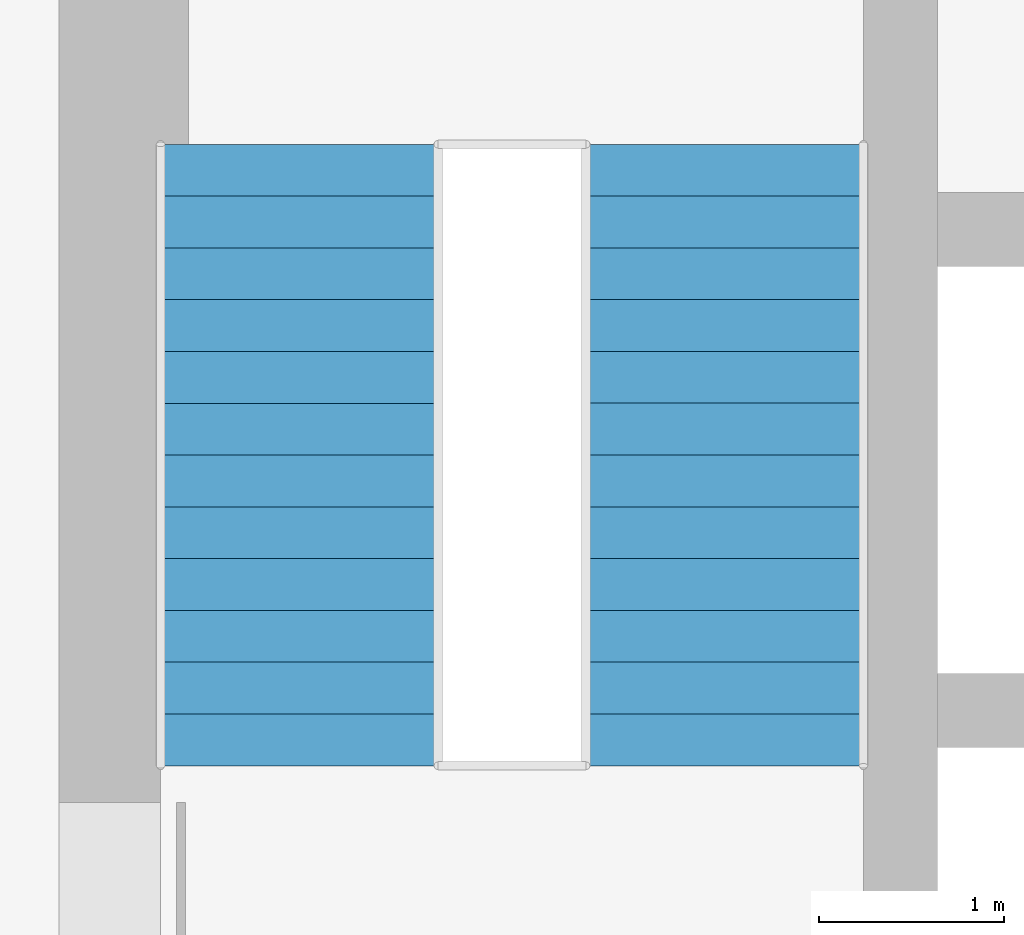
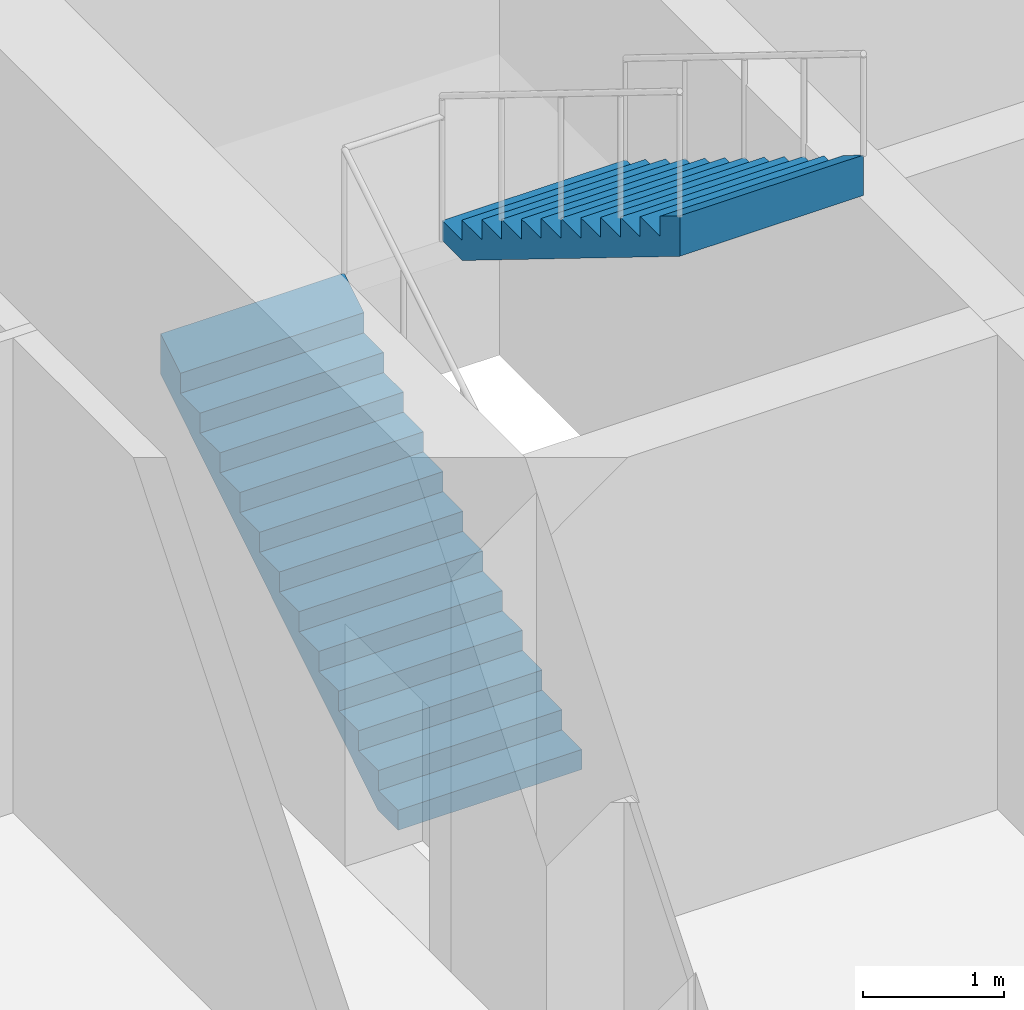
# One storey, part 12 of 14: 2 stair flights, 1 element without a shape of its own.
"""IFC4 building model written with IfcOpenShell, lengths in metres."""

from ifc_helpers import new_model, si_unit, direction, frame, origin, place, context, subcontext, project, spatial, triangles, material, type_object, element, aggregate, save


model = new_model("IFC4")

# Units and contexts
model_context = context("Model", 3, precision=1e-05, world=origin(), true_north=direction((0.0, 1.0)))
body_context = subcontext(model_context, "Body", "Model", "MODEL_VIEW")
ifc_project = project(units=[si_unit("LENGTHUNIT", "METRE"), si_unit("AREAUNIT", "SQUARE_METRE"), si_unit("VOLUMEUNIT", "CUBIC_METRE"), si_unit("PLANEANGLEUNIT", "RADIAN"), si_unit("MASSUNIT", "GRAM", prefix="KILO")], contexts=[model_context])

# Site, building, storey
site_placement = place(None, origin())
site = spatial("IfcSite", under=ifc_project, at=site_placement, CompositionType="ELEMENT")
building_placement = place(site_placement, origin())
building = spatial("IfcBuilding", under=site, at=building_placement, Name="Ludao Terraces", CompositionType="ELEMENT")
storey_placement = place(building_placement, frame((0.0, 0.0, -4.5)))
storey = spatial("IfcBuildingStorey", under=building, at=storey_placement, Name="B1", CompositionType="ELEMENT", Elevation=-4.5)

# Stair, stair flights
ifc_material = material(Name="Concrete C40", Category="concrete")
stair_type = type_object("IfcStairType", Name="INT Stair", PredefinedType="HALF_TURN_STAIR", material=ifc_material)
stair_placement = place(storey_placement, origin())
stair = element("IfcStair", 1, at=stair_placement, inside=storey, type_object=stair_type, Name="EXIT STAIR 1", PredefinedType="HALF_TURN_STAIR")
stair_flight_type = type_object("IfcStairFlightType", Name="INT Stair flight", PredefinedType="STRAIGHT", material=ifc_material)
stair_flight_1_placement = place(storey_placement, frame((76.199951171875, 79.0, 0.0), z_axis=(0.0, 0.0, 1.0), x_axis=(0.0, 1.0, 0.0)))
stair_flight_1 = element("IfcStairFlight", 2, at=stair_flight_1_placement, type_object=stair_flight_type, Name="ST1 flight 1", NumberOfRisers=13, NumberOfTreads=12, PredefinedType="STRAIGHT", RiserHeight=0.173077, TreadLength=0.28, context=body_context, shape_type="Tessellation", body=[
    triangles([(0.0, -0.75, 0.0), (0.0, -0.5, 0.0), (0.0, -0.25, 0.0), (0.0, 0.0, 0.0), (0.0, 0.25, 0.0), (0.0, 0.5, 0.0), (0.0, 0.75, 0.0), (0.0, -0.75, 0.173095703125), (0.0, -0.5, 0.173095703125), (0.0, -0.25, 0.173095703125), (0.0, 0.0, 0.173095703125), (0.0, 0.25, 0.173095703125), (0.0, 0.5, 0.173095703125), (0.0, 0.75, 0.173095703125), (0.280029296875, -0.75, 0.173095703125), (0.280029296875, -0.5, 0.173095703125), (0.280029296875, -0.25, 0.173095703125), (0.280029296875, 0.0, 0.173095703125), (0.280029296875, 0.25, 0.173095703125), (0.280029296875, 0.5, 0.173095703125), (0.280029296875, 0.75, 0.173095703125), (0.280029296875, -0.75, 0.34619140625), (0.280029296875, -0.5, 0.34619140625), (0.280029296875, -0.25, 0.34619140625), (0.280029296875, 0.0, 0.34619140625), (0.280029296875, 0.25, 0.34619140625), (0.280029296875, 0.5, 0.34619140625), (0.280029296875, 0.75, 0.34619140625), (0.56005859375, -0.75, 0.34619140625), (0.56005859375, -0.5, 0.34619140625), (0.56005859375, -0.25, 0.34619140625), (0.56005859375, 0.0, 0.34619140625), (0.56005859375, 0.25, 0.34619140625), (0.56005859375, 0.5, 0.34619140625), (0.56005859375, 0.75, 0.34619140625), (0.56005859375, -0.75, 0.519287109375), (0.56005859375, -0.5, 0.519287109375), (0.56005859375, -0.25, 0.519287109375), (0.56005859375, 0.0, 0.519287109375), (0.56005859375, 0.25, 0.519287109375), (0.56005859375, 0.5, 0.519287109375), (0.56005859375, 0.75, 0.519287109375), (0.840087890625, -0.75, 0.519287109375), (0.840087890625, -0.5, 0.519287109375), (0.840087890625, -0.25, 0.519287109375), (0.840087890625, 0.0, 0.519287109375), (0.840087890625, 0.25, 0.519287109375), (0.840087890625, 0.5, 0.519287109375), (0.840087890625, 0.75, 0.519287109375), (0.840087890625, -0.75, 0.6923828125), (0.840087890625, -0.5, 0.6923828125), (0.840087890625, -0.25, 0.6923828125), (0.840087890625, 0.0, 0.6923828125), (0.840087890625, 0.25, 0.6923828125), (0.840087890625, 0.5, 0.6923828125), (0.840087890625, 0.75, 0.6923828125), (1.1201171875, -0.75, 0.6923828125), (1.1201171875, -0.5, 0.6923828125), (1.1201171875, -0.25, 0.6923828125), (1.1201171875, 0.0, 0.6923828125), (1.1201171875, 0.25, 0.6923828125), (1.1201171875, 0.5, 0.6923828125), (1.1201171875, 0.75, 0.6923828125), (1.1201171875, -0.75, 0.865478515625), (1.1201171875, -0.5, 0.865478515625), (1.1201171875, -0.25, 0.865478515625), (1.1201171875, 0.0, 0.865478515625), (1.1201171875, 0.25, 0.865478515625), (1.1201171875, 0.5, 0.865478515625), (1.1201171875, 0.75, 0.865478515625), (1.39990234375, -0.75, 0.865478515625), (1.39990234375, -0.5, 0.865478515625), (1.39990234375, -0.25, 0.865478515625), (1.39990234375, 0.0, 0.865478515625), (1.39990234375, 0.25, 0.865478515625), (1.39990234375, 0.5, 0.865478515625), (1.39990234375, 0.75, 0.865478515625), (1.39990234375, -0.75, 1.03857421875), (1.39990234375, -0.5, 1.03857421875), (1.39990234375, -0.25, 1.03857421875), (1.39990234375, 0.0, 1.03857421875), (1.39990234375, 0.25, 1.03857421875), (1.39990234375, 0.5, 1.03857421875), (1.39990234375, 0.75, 1.03857421875), (1.679931640625, -0.75, 1.03857421875), (1.679931640625, -0.5, 1.03857421875), (1.679931640625, -0.25, 1.03857421875), (1.679931640625, 0.0, 1.03857421875), (1.679931640625, 0.25, 1.03857421875), (1.679931640625, 0.5, 1.03857421875), (1.679931640625, 0.75, 1.03857421875), (1.679931640625, -0.75, 1.21142578125), (1.679931640625, -0.5, 1.21142578125), (1.679931640625, -0.25, 1.21142578125), (1.679931640625, 0.0, 1.21142578125), (1.679931640625, 0.25, 1.21142578125), (1.679931640625, 0.5, 1.21142578125), (1.679931640625, 0.75, 1.21142578125), (1.9599609375, -0.75, 1.21142578125), (1.9599609375, -0.5, 1.21142578125), (1.9599609375, -0.25, 1.21142578125), (1.9599609375, 0.0, 1.21142578125), (1.9599609375, 0.25, 1.21142578125), (1.9599609375, 0.5, 1.21142578125), (1.9599609375, 0.75, 1.21142578125), (1.9599609375, -0.75, 1.384521484375), (1.9599609375, -0.5, 1.384521484375), (1.9599609375, -0.25, 1.384521484375), (1.9599609375, 0.0, 1.384521484375), (1.9599609375, 0.25, 1.384521484375), (1.9599609375, 0.5, 1.384521484375), (1.9599609375, 0.75, 1.384521484375), (2.239990234375, -0.75, 1.384521484375), (2.239990234375, -0.5, 1.384521484375), (2.239990234375, -0.25, 1.384521484375), (2.239990234375, 0.0, 1.384521484375), (2.239990234375, 0.25, 1.384521484375), (2.239990234375, 0.5, 1.384521484375), (2.239990234375, 0.75, 1.384521484375), (2.239990234375, -0.75, 1.5576171875), (2.239990234375, -0.5, 1.5576171875), (2.239990234375, -0.25, 1.5576171875), (2.239990234375, 0.0, 1.5576171875), (2.239990234375, 0.25, 1.5576171875), (2.239990234375, 0.5, 1.5576171875), (2.239990234375, 0.75, 1.5576171875), (2.52001953125, -0.75, 1.5576171875), (2.52001953125, -0.5, 1.5576171875), (2.52001953125, -0.25, 1.5576171875), (2.52001953125, 0.0, 1.5576171875), (2.52001953125, 0.25, 1.5576171875), (2.52001953125, 0.5, 1.5576171875), (2.52001953125, 0.75, 1.5576171875), (2.52001953125, -0.75, 1.730712890625), (2.52001953125, -0.5, 1.730712890625), (2.52001953125, -0.25, 1.730712890625), (2.52001953125, 0.0, 1.730712890625), (2.52001953125, 0.25, 1.730712890625), (2.52001953125, 0.5, 1.730712890625), (2.52001953125, 0.75, 1.730712890625), (2.800048828125, -0.75, 1.730712890625), (2.800048828125, -0.5, 1.730712890625), (2.800048828125, -0.25, 1.730712890625), (2.800048828125, 0.0, 1.730712890625), (2.800048828125, 0.25, 1.730712890625), (2.800048828125, 0.5, 1.730712890625), (2.800048828125, 0.75, 1.730712890625), (2.800048828125, -0.75, 1.90380859375), (2.800048828125, -0.5, 1.90380859375), (2.800048828125, -0.25, 1.90380859375), (2.800048828125, 0.0, 1.90380859375), (2.800048828125, 0.25, 1.90380859375), (2.800048828125, 0.5, 1.90380859375), (2.800048828125, 0.75, 1.90380859375), (3.080078125, -0.75, 1.90380859375), (3.080078125, -0.5, 1.90380859375), (3.080078125, -0.25, 1.90380859375), (3.080078125, 0.0, 1.90380859375), (3.080078125, 0.25, 1.90380859375), (3.080078125, 0.5, 1.90380859375), (3.080078125, 0.75, 1.90380859375), (3.080078125, -0.75, 2.076904296875), (3.080078125, -0.5, 2.076904296875), (3.080078125, -0.25, 2.076904296875), (3.080078125, 0.0, 2.076904296875), (3.080078125, 0.25, 2.076904296875), (3.080078125, 0.5, 2.076904296875), (3.080078125, 0.75, 2.076904296875), (3.360107421875, -0.75, 2.25), (3.360107421875, -0.5, 2.25), (3.360107421875, -0.25, 2.25), (3.360107421875, 0.0, 2.25), (3.360107421875, 0.25, 2.25), (3.360107421875, 0.5, 2.25), (3.360107421875, 0.75, 2.25), (3.360107421875, -0.75, 1.900634765625), (3.360107421875, -0.5, 1.900634765625), (3.360107421875, -0.25, 1.900634765625), (3.360107421875, 0.0, 1.900634765625), (3.360107421875, 0.25, 1.900634765625), (3.360107421875, 0.5, 1.900634765625), (3.360107421875, 0.75, 1.900634765625), (0.28515625, -0.75, 0.0), (0.28515625, -0.5, 0.0), (0.28515625, -0.25, 0.0), (0.28515625, 0.0, 0.0), (0.28515625, 0.25, 0.0), (0.28515625, 0.5, 0.0), (0.28515625, 0.75, 0.0)], [[1, 183, 176], [7, 182, 189], [176, 169, 162], [182, 168, 175], [176, 162, 155], [182, 161, 168], [176, 155, 148], [182, 154, 161], [176, 148, 141], [182, 147, 154], [141, 134, 127], [147, 133, 140], [176, 141, 127], [182, 133, 147], [127, 120, 113], [133, 119, 126], [176, 127, 113], [182, 119, 133], [113, 106, 99], [119, 105, 112], [176, 113, 99], [182, 105, 119], [1, 176, 99], [7, 105, 182], [99, 92, 85], [105, 91, 98], [85, 78, 71], [91, 77, 84], [99, 85, 71], [105, 77, 91], [71, 64, 57], [77, 63, 70], [99, 71, 57], [105, 63, 77], [57, 50, 43], [63, 49, 56], [99, 57, 43], [105, 49, 63], [43, 36, 29], [49, 35, 42], [99, 43, 29], [105, 35, 49], [29, 22, 15], [35, 21, 28], [99, 29, 15], [105, 21, 35], [1, 99, 15], [7, 21, 105], [15, 8, 1], [21, 7, 14], [1, 9, 2], [1, 8, 9], [2, 10, 3], [2, 9, 10], [3, 11, 4], [3, 10, 11], [4, 12, 5], [4, 11, 12], [5, 13, 6], [5, 12, 13], [6, 14, 7], [6, 13, 14], [8, 16, 9], [8, 15, 16], [9, 17, 10], [9, 16, 17], [10, 18, 11], [10, 17, 18], [11, 19, 12], [11, 18, 19], [12, 20, 13], [12, 19, 20], [13, 21, 14], [13, 20, 21], [15, 23, 16], [15, 22, 23], [16, 24, 17], [16, 23, 24], [17, 25, 18], [17, 24, 25], [18, 26, 19], [18, 25, 26], [19, 27, 20], [19, 26, 27], [20, 28, 21], [20, 27, 28], [22, 30, 23], [22, 29, 30], [23, 31, 24], [23, 30, 31], [24, 32, 25], [24, 31, 32], [25, 33, 26], [25, 32, 33], [26, 34, 27], [26, 33, 34], [27, 35, 28], [27, 34, 35], [29, 37, 30], [29, 36, 37], [30, 38, 31], [30, 37, 38], [31, 39, 32], [31, 38, 39], [32, 40, 33], [32, 39, 40], [33, 41, 34], [33, 40, 41], [34, 42, 35], [34, 41, 42], [36, 44, 37], [36, 43, 44], [37, 45, 38], [37, 44, 45], [38, 46, 39], [38, 45, 46], [39, 47, 40], [39, 46, 47], [40, 48, 41], [40, 47, 48], [41, 49, 42], [41, 48, 49], [43, 51, 44], [43, 50, 51], [44, 52, 45], [44, 51, 52], [45, 53, 46], [45, 52, 53], [46, 54, 47], [46, 53, 54], [47, 55, 48], [47, 54, 55], [48, 56, 49], [48, 55, 56], [50, 58, 51], [50, 57, 58], [51, 59, 52], [51, 58, 59], [52, 60, 53], [52, 59, 60], [53, 61, 54], [53, 60, 61], [54, 62, 55], [54, 61, 62], [55, 63, 56], [55, 62, 63], [57, 65, 58], [57, 64, 65], [58, 66, 59], [58, 65, 66], [59, 67, 60], [59, 66, 67], [60, 68, 61], [60, 67, 68], [61, 69, 62], [61, 68, 69], [62, 70, 63], [62, 69, 70], [64, 72, 65], [64, 71, 72], [65, 73, 66], [65, 72, 73], [66, 74, 67], [66, 73, 74], [67, 75, 68], [67, 74, 75], [68, 76, 69], [68, 75, 76], [69, 77, 70], [69, 76, 77], [71, 79, 72], [71, 78, 79], [72, 80, 73], [72, 79, 80], [73, 81, 74], [73, 80, 81], [74, 82, 75], [74, 81, 82], [75, 83, 76], [75, 82, 83], [76, 84, 77], [76, 83, 84], [78, 86, 79], [78, 85, 86], [79, 87, 80], [79, 86, 87], [80, 88, 81], [80, 87, 88], [81, 89, 82], [81, 88, 89], [82, 90, 83], [82, 89, 90], [83, 91, 84], [83, 90, 91], [85, 93, 86], [85, 92, 93], [86, 94, 87], [86, 93, 94], [87, 95, 88], [87, 94, 95], [88, 96, 89], [88, 95, 96], [89, 97, 90], [89, 96, 97], [90, 98, 91], [90, 97, 98], [92, 100, 93], [92, 99, 100], [93, 101, 94], [93, 100, 101], [94, 102, 95], [94, 101, 102], [95, 103, 96], [95, 102, 103], [96, 104, 97], [96, 103, 104], [97, 105, 98], [97, 104, 105], [99, 107, 100], [99, 106, 107], [100, 108, 101], [100, 107, 108], [101, 109, 102], [101, 108, 109], [102, 110, 103], [102, 109, 110], [103, 111, 104], [103, 110, 111], [104, 112, 105], [104, 111, 112], [106, 114, 107], [106, 113, 114], [107, 115, 108], [107, 114, 115], [108, 116, 109], [108, 115, 116], [109, 117, 110], [109, 116, 117], [110, 118, 111], [110, 117, 118], [111, 119, 112], [111, 118, 119], [113, 121, 114], [113, 120, 121], [114, 122, 115], [114, 121, 122], [115, 123, 116], [115, 122, 123], [116, 124, 117], [116, 123, 124], [117, 125, 118], [117, 124, 125], [118, 126, 119], [118, 125, 126], [120, 128, 121], [120, 127, 128], [121, 129, 122], [121, 128, 129], [122, 130, 123], [122, 129, 130], [123, 131, 124], [123, 130, 131], [124, 132, 125], [124, 131, 132], [125, 133, 126], [125, 132, 133], [127, 135, 128], [127, 134, 135], [128, 136, 129], [128, 135, 136], [129, 137, 130], [129, 136, 137], [130, 138, 131], [130, 137, 138], [131, 139, 132], [131, 138, 139], [132, 140, 133], [132, 139, 140], [134, 142, 135], [134, 141, 142], [135, 143, 136], [135, 142, 143], [136, 144, 137], [136, 143, 144], [137, 145, 138], [137, 144, 145], [138, 146, 139], [138, 145, 146], [139, 147, 140], [139, 146, 147], [141, 149, 142], [141, 148, 149], [142, 150, 143], [142, 149, 150], [143, 151, 144], [143, 150, 151], [144, 152, 145], [144, 151, 152], [145, 153, 146], [145, 152, 153], [146, 154, 147], [146, 153, 154], [148, 156, 149], [148, 155, 156], [149, 157, 150], [149, 156, 157], [150, 158, 151], [150, 157, 158], [151, 159, 152], [151, 158, 159], [152, 160, 153], [152, 159, 160], [153, 161, 154], [153, 160, 161], [155, 163, 156], [155, 162, 163], [156, 164, 157], [156, 163, 164], [157, 165, 158], [157, 164, 165], [158, 166, 159], [158, 165, 166], [159, 167, 160], [159, 166, 167], [160, 168, 161], [160, 167, 168], [162, 170, 163], [162, 169, 170], [163, 171, 164], [163, 170, 171], [164, 172, 165], [164, 171, 172], [165, 173, 166], [165, 172, 173], [166, 174, 167], [166, 173, 174], [167, 175, 168], [167, 174, 175], [169, 177, 170], [169, 176, 177], [170, 178, 171], [170, 177, 178], [171, 179, 172], [171, 178, 179], [172, 180, 173], [172, 179, 180], [173, 181, 174], [173, 180, 181], [174, 182, 175], [174, 181, 182], [176, 184, 177], [176, 183, 184], [177, 185, 178], [177, 184, 185], [178, 186, 179], [178, 185, 186], [179, 187, 180], [179, 186, 187], [180, 188, 181], [180, 187, 188], [181, 189, 182], [181, 188, 189], [183, 2, 184], [183, 1, 2], [184, 3, 185], [184, 2, 3], [185, 4, 186], [185, 3, 4], [186, 5, 187], [186, 4, 5], [187, 6, 188], [187, 5, 6], [188, 7, 189], [188, 6, 7]], closed=True),
])
stair_flight_2_placement = place(storey_placement, frame((78.5, 82.360107421875, 2.25), z_axis=(0.0, 0.0, 1.0), x_axis=(0.0, -1.0, 0.0)))
stair_flight_2 = element("IfcStairFlight", 3, at=stair_flight_2_placement, type_object=stair_flight_type, Name="ST1 flight 2", NumberOfRisers=13, NumberOfTreads=12, PredefinedType="STRAIGHT", RiserHeight=0.173077, TreadLength=0.28, context=body_context, shape_type="Tessellation", body=[
    triangles([(0.0, -0.75, 0.0), (0.0, -0.5, 0.0), (0.0, -0.25, 0.0), (0.0, 0.0, 0.0), (0.0, 0.25, 0.0), (0.0, 0.5, 0.0), (0.0, 0.75, 0.0), (0.0, -0.75, 0.173095703125), (0.0, -0.5, 0.173095703125), (0.0, -0.25, 0.173095703125), (0.0, 0.0, 0.173095703125), (0.0, 0.25, 0.173095703125), (0.0, 0.5, 0.173095703125), (0.0, 0.75, 0.173095703125), (0.280029296875, -0.75, 0.173095703125), (0.280029296875, -0.5, 0.173095703125), (0.280029296875, -0.25, 0.173095703125), (0.280029296875, 0.0, 0.173095703125), (0.280029296875, 0.25, 0.173095703125), (0.280029296875, 0.5, 0.173095703125), (0.280029296875, 0.75, 0.173095703125), (0.280029296875, -0.75, 0.34619140625), (0.280029296875, -0.5, 0.34619140625), (0.280029296875, -0.25, 0.34619140625), (0.280029296875, 0.0, 0.34619140625), (0.280029296875, 0.25, 0.34619140625), (0.280029296875, 0.5, 0.34619140625), (0.280029296875, 0.75, 0.34619140625), (0.56005859375, -0.75, 0.34619140625), (0.56005859375, -0.5, 0.34619140625), (0.56005859375, -0.25, 0.34619140625), (0.56005859375, 0.0, 0.34619140625), (0.56005859375, 0.25, 0.34619140625), (0.56005859375, 0.5, 0.34619140625), (0.56005859375, 0.75, 0.34619140625), (0.56005859375, -0.75, 0.519287109375), (0.56005859375, -0.5, 0.519287109375), (0.56005859375, -0.25, 0.519287109375), (0.56005859375, 0.0, 0.519287109375), (0.56005859375, 0.25, 0.519287109375), (0.56005859375, 0.5, 0.519287109375), (0.56005859375, 0.75, 0.519287109375), (0.840087890625, -0.75, 0.519287109375), (0.840087890625, -0.5, 0.519287109375), (0.840087890625, -0.25, 0.519287109375), (0.840087890625, 0.0, 0.519287109375), (0.840087890625, 0.25, 0.519287109375), (0.840087890625, 0.5, 0.519287109375), (0.840087890625, 0.75, 0.519287109375), (0.840087890625, -0.75, 0.6923828125), (0.840087890625, -0.5, 0.6923828125), (0.840087890625, -0.25, 0.6923828125), (0.840087890625, 0.0, 0.6923828125), (0.840087890625, 0.25, 0.6923828125), (0.840087890625, 0.5, 0.6923828125), (0.840087890625, 0.75, 0.6923828125), (1.1201171875, -0.75, 0.6923828125), (1.1201171875, -0.5, 0.6923828125), (1.1201171875, -0.25, 0.6923828125), (1.1201171875, 0.0, 0.6923828125), (1.1201171875, 0.25, 0.6923828125), (1.1201171875, 0.5, 0.6923828125), (1.1201171875, 0.75, 0.6923828125), (1.1201171875, -0.75, 0.865478515625), (1.1201171875, -0.5, 0.865478515625), (1.1201171875, -0.25, 0.865478515625), (1.1201171875, 0.0, 0.865478515625), (1.1201171875, 0.25, 0.865478515625), (1.1201171875, 0.5, 0.865478515625), (1.1201171875, 0.75, 0.865478515625), (1.39990234375, -0.75, 0.865478515625), (1.39990234375, -0.5, 0.865478515625), (1.39990234375, -0.25, 0.865478515625), (1.39990234375, 0.0, 0.865478515625), (1.39990234375, 0.25, 0.865478515625), (1.39990234375, 0.5, 0.865478515625), (1.39990234375, 0.75, 0.865478515625), (1.39990234375, -0.75, 1.03857421875), (1.39990234375, -0.5, 1.03857421875), (1.39990234375, -0.25, 1.03857421875), (1.39990234375, 0.0, 1.03857421875), (1.39990234375, 0.25, 1.03857421875), (1.39990234375, 0.5, 1.03857421875), (1.39990234375, 0.75, 1.03857421875), (1.679931640625, -0.75, 1.03857421875), (1.679931640625, -0.5, 1.03857421875), (1.679931640625, -0.25, 1.03857421875), (1.679931640625, 0.0, 1.03857421875), (1.679931640625, 0.25, 1.03857421875), (1.679931640625, 0.5, 1.03857421875), (1.679931640625, 0.75, 1.03857421875), (1.679931640625, -0.75, 1.21142578125), (1.679931640625, -0.5, 1.21142578125), (1.679931640625, -0.25, 1.21142578125), (1.679931640625, 0.0, 1.21142578125), (1.679931640625, 0.25, 1.21142578125), (1.679931640625, 0.5, 1.21142578125), (1.679931640625, 0.75, 1.21142578125), (1.9599609375, -0.75, 1.21142578125), (1.9599609375, -0.5, 1.21142578125), (1.9599609375, -0.25, 1.21142578125), (1.9599609375, 0.0, 1.21142578125), (1.9599609375, 0.25, 1.21142578125), (1.9599609375, 0.5, 1.21142578125), (1.9599609375, 0.75, 1.21142578125), (1.9599609375, -0.75, 1.384521484375), (1.9599609375, -0.5, 1.384521484375), (1.9599609375, -0.25, 1.384521484375), (1.9599609375, 0.0, 1.384521484375), (1.9599609375, 0.25, 1.384521484375), (1.9599609375, 0.5, 1.384521484375), (1.9599609375, 0.75, 1.384521484375), (2.239990234375, -0.75, 1.384521484375), (2.239990234375, -0.5, 1.384521484375), (2.239990234375, -0.25, 1.384521484375), (2.239990234375, 0.0, 1.384521484375), (2.239990234375, 0.25, 1.384521484375), (2.239990234375, 0.5, 1.384521484375), (2.239990234375, 0.75, 1.384521484375), (2.239990234375, -0.75, 1.5576171875), (2.239990234375, -0.5, 1.5576171875), (2.239990234375, -0.25, 1.5576171875), (2.239990234375, 0.0, 1.5576171875), (2.239990234375, 0.25, 1.5576171875), (2.239990234375, 0.5, 1.5576171875), (2.239990234375, 0.75, 1.5576171875), (2.52001953125, -0.75, 1.5576171875), (2.52001953125, -0.5, 1.5576171875), (2.52001953125, -0.25, 1.5576171875), (2.52001953125, 0.0, 1.5576171875), (2.52001953125, 0.25, 1.5576171875), (2.52001953125, 0.5, 1.5576171875), (2.52001953125, 0.75, 1.5576171875), (2.52001953125, -0.75, 1.730712890625), (2.52001953125, -0.5, 1.730712890625), (2.52001953125, -0.25, 1.730712890625), (2.52001953125, 0.0, 1.730712890625), (2.52001953125, 0.25, 1.730712890625), (2.52001953125, 0.5, 1.730712890625), (2.52001953125, 0.75, 1.730712890625), (2.800048828125, -0.75, 1.730712890625), (2.800048828125, -0.5, 1.730712890625), (2.800048828125, -0.25, 1.730712890625), (2.800048828125, 0.0, 1.730712890625), (2.800048828125, 0.25, 1.730712890625), (2.800048828125, 0.5, 1.730712890625), (2.800048828125, 0.75, 1.730712890625), (2.800048828125, -0.75, 1.90380859375), (2.800048828125, -0.5, 1.90380859375), (2.800048828125, -0.25, 1.90380859375), (2.800048828125, 0.0, 1.90380859375), (2.800048828125, 0.25, 1.90380859375), (2.800048828125, 0.5, 1.90380859375), (2.800048828125, 0.75, 1.90380859375), (3.080078125, -0.75, 1.90380859375), (3.080078125, -0.5, 1.90380859375), (3.080078125, -0.25, 1.90380859375), (3.080078125, 0.0, 1.90380859375), (3.080078125, 0.25, 1.90380859375), (3.080078125, 0.5, 1.90380859375), (3.080078125, 0.75, 1.90380859375), (3.080078125, -0.75, 2.076904296875), (3.080078125, -0.5, 2.076904296875), (3.080078125, -0.25, 2.076904296875), (3.080078125, 0.0, 2.076904296875), (3.080078125, 0.25, 2.076904296875), (3.080078125, 0.5, 2.076904296875), (3.080078125, 0.75, 2.076904296875), (3.360107421875, -0.75, 2.25), (3.360107421875, -0.5, 2.25), (3.360107421875, -0.25, 2.25), (3.360107421875, 0.0, 2.25), (3.360107421875, 0.25, 2.25), (3.360107421875, 0.5, 2.25), (3.360107421875, 0.75, 2.25), (3.360107421875, -0.75, 1.900634765625), (3.360107421875, -0.5, 1.900634765625), (3.360107421875, -0.25, 1.900634765625), (3.360107421875, 0.0, 1.900634765625), (3.360107421875, 0.25, 1.900634765625), (3.360107421875, 0.5, 1.900634765625), (3.360107421875, 0.75, 1.900634765625), (0.28515625, -0.75, 0.0), (0.28515625, -0.5, 0.0), (0.28515625, -0.25, 0.0), (0.28515625, 0.0, 0.0), (0.28515625, 0.25, 0.0), (0.28515625, 0.5, 0.0), (0.28515625, 0.75, 0.0)], [[1, 183, 176], [7, 182, 189], [176, 169, 162], [182, 168, 175], [176, 162, 155], [182, 161, 168], [176, 155, 148], [182, 154, 161], [176, 148, 141], [182, 147, 154], [141, 134, 127], [147, 133, 140], [176, 141, 127], [182, 133, 147], [127, 120, 113], [133, 119, 126], [176, 127, 113], [182, 119, 133], [113, 106, 99], [119, 105, 112], [176, 113, 99], [182, 105, 119], [1, 176, 99], [7, 105, 182], [99, 92, 85], [105, 91, 98], [85, 78, 71], [91, 77, 84], [99, 85, 71], [105, 77, 91], [71, 64, 57], [77, 63, 70], [99, 71, 57], [105, 63, 77], [57, 50, 43], [63, 49, 56], [99, 57, 43], [105, 49, 63], [43, 36, 29], [49, 35, 42], [99, 43, 29], [105, 35, 49], [29, 22, 15], [35, 21, 28], [99, 29, 15], [105, 21, 35], [1, 99, 15], [7, 21, 105], [15, 8, 1], [21, 7, 14], [1, 9, 2], [1, 8, 9], [2, 10, 3], [2, 9, 10], [3, 11, 4], [3, 10, 11], [4, 12, 5], [4, 11, 12], [5, 13, 6], [5, 12, 13], [6, 14, 7], [6, 13, 14], [8, 16, 9], [8, 15, 16], [9, 17, 10], [9, 16, 17], [10, 18, 11], [10, 17, 18], [11, 19, 12], [11, 18, 19], [12, 20, 13], [12, 19, 20], [13, 21, 14], [13, 20, 21], [15, 23, 16], [15, 22, 23], [16, 24, 17], [16, 23, 24], [17, 25, 18], [17, 24, 25], [18, 26, 19], [18, 25, 26], [19, 27, 20], [19, 26, 27], [20, 28, 21], [20, 27, 28], [22, 30, 23], [22, 29, 30], [23, 31, 24], [23, 30, 31], [24, 32, 25], [24, 31, 32], [25, 33, 26], [25, 32, 33], [26, 34, 27], [26, 33, 34], [27, 35, 28], [27, 34, 35], [29, 37, 30], [29, 36, 37], [30, 38, 31], [30, 37, 38], [31, 39, 32], [31, 38, 39], [32, 40, 33], [32, 39, 40], [33, 41, 34], [33, 40, 41], [34, 42, 35], [34, 41, 42], [36, 44, 37], [36, 43, 44], [37, 45, 38], [37, 44, 45], [38, 46, 39], [38, 45, 46], [39, 47, 40], [39, 46, 47], [40, 48, 41], [40, 47, 48], [41, 49, 42], [41, 48, 49], [43, 51, 44], [43, 50, 51], [44, 52, 45], [44, 51, 52], [45, 53, 46], [45, 52, 53], [46, 54, 47], [46, 53, 54], [47, 55, 48], [47, 54, 55], [48, 56, 49], [48, 55, 56], [50, 58, 51], [50, 57, 58], [51, 59, 52], [51, 58, 59], [52, 60, 53], [52, 59, 60], [53, 61, 54], [53, 60, 61], [54, 62, 55], [54, 61, 62], [55, 63, 56], [55, 62, 63], [57, 65, 58], [57, 64, 65], [58, 66, 59], [58, 65, 66], [59, 67, 60], [59, 66, 67], [60, 68, 61], [60, 67, 68], [61, 69, 62], [61, 68, 69], [62, 70, 63], [62, 69, 70], [64, 72, 65], [64, 71, 72], [65, 73, 66], [65, 72, 73], [66, 74, 67], [66, 73, 74], [67, 75, 68], [67, 74, 75], [68, 76, 69], [68, 75, 76], [69, 77, 70], [69, 76, 77], [71, 79, 72], [71, 78, 79], [72, 80, 73], [72, 79, 80], [73, 81, 74], [73, 80, 81], [74, 82, 75], [74, 81, 82], [75, 83, 76], [75, 82, 83], [76, 84, 77], [76, 83, 84], [78, 86, 79], [78, 85, 86], [79, 87, 80], [79, 86, 87], [80, 88, 81], [80, 87, 88], [81, 89, 82], [81, 88, 89], [82, 90, 83], [82, 89, 90], [83, 91, 84], [83, 90, 91], [85, 93, 86], [85, 92, 93], [86, 94, 87], [86, 93, 94], [87, 95, 88], [87, 94, 95], [88, 96, 89], [88, 95, 96], [89, 97, 90], [89, 96, 97], [90, 98, 91], [90, 97, 98], [92, 100, 93], [92, 99, 100], [93, 101, 94], [93, 100, 101], [94, 102, 95], [94, 101, 102], [95, 103, 96], [95, 102, 103], [96, 104, 97], [96, 103, 104], [97, 105, 98], [97, 104, 105], [99, 107, 100], [99, 106, 107], [100, 108, 101], [100, 107, 108], [101, 109, 102], [101, 108, 109], [102, 110, 103], [102, 109, 110], [103, 111, 104], [103, 110, 111], [104, 112, 105], [104, 111, 112], [106, 114, 107], [106, 113, 114], [107, 115, 108], [107, 114, 115], [108, 116, 109], [108, 115, 116], [109, 117, 110], [109, 116, 117], [110, 118, 111], [110, 117, 118], [111, 119, 112], [111, 118, 119], [113, 121, 114], [113, 120, 121], [114, 122, 115], [114, 121, 122], [115, 123, 116], [115, 122, 123], [116, 124, 117], [116, 123, 124], [117, 125, 118], [117, 124, 125], [118, 126, 119], [118, 125, 126], [120, 128, 121], [120, 127, 128], [121, 129, 122], [121, 128, 129], [122, 130, 123], [122, 129, 130], [123, 131, 124], [123, 130, 131], [124, 132, 125], [124, 131, 132], [125, 133, 126], [125, 132, 133], [127, 135, 128], [127, 134, 135], [128, 136, 129], [128, 135, 136], [129, 137, 130], [129, 136, 137], [130, 138, 131], [130, 137, 138], [131, 139, 132], [131, 138, 139], [132, 140, 133], [132, 139, 140], [134, 142, 135], [134, 141, 142], [135, 143, 136], [135, 142, 143], [136, 144, 137], [136, 143, 144], [137, 145, 138], [137, 144, 145], [138, 146, 139], [138, 145, 146], [139, 147, 140], [139, 146, 147], [141, 149, 142], [141, 148, 149], [142, 150, 143], [142, 149, 150], [143, 151, 144], [143, 150, 151], [144, 152, 145], [144, 151, 152], [145, 153, 146], [145, 152, 153], [146, 154, 147], [146, 153, 154], [148, 156, 149], [148, 155, 156], [149, 157, 150], [149, 156, 157], [150, 158, 151], [150, 157, 158], [151, 159, 152], [151, 158, 159], [152, 160, 153], [152, 159, 160], [153, 161, 154], [153, 160, 161], [155, 163, 156], [155, 162, 163], [156, 164, 157], [156, 163, 164], [157, 165, 158], [157, 164, 165], [158, 166, 159], [158, 165, 166], [159, 167, 160], [159, 166, 167], [160, 168, 161], [160, 167, 168], [162, 170, 163], [162, 169, 170], [163, 171, 164], [163, 170, 171], [164, 172, 165], [164, 171, 172], [165, 173, 166], [165, 172, 173], [166, 174, 167], [166, 173, 174], [167, 175, 168], [167, 174, 175], [169, 177, 170], [169, 176, 177], [170, 178, 171], [170, 177, 178], [171, 179, 172], [171, 178, 179], [172, 180, 173], [172, 179, 180], [173, 181, 174], [173, 180, 181], [174, 182, 175], [174, 181, 182], [176, 184, 177], [176, 183, 184], [177, 185, 178], [177, 184, 185], [178, 186, 179], [178, 185, 186], [179, 187, 180], [179, 186, 187], [180, 188, 181], [180, 187, 188], [181, 189, 182], [181, 188, 189], [183, 2, 184], [183, 1, 2], [184, 3, 185], [184, 2, 3], [185, 4, 186], [185, 3, 4], [186, 5, 187], [186, 4, 5], [187, 6, 188], [187, 5, 6], [188, 7, 189], [188, 6, 7]], closed=True),
])
aggregate(stair, [stair_flight_1, stair_flight_2])

save(model, "model.ifc")
